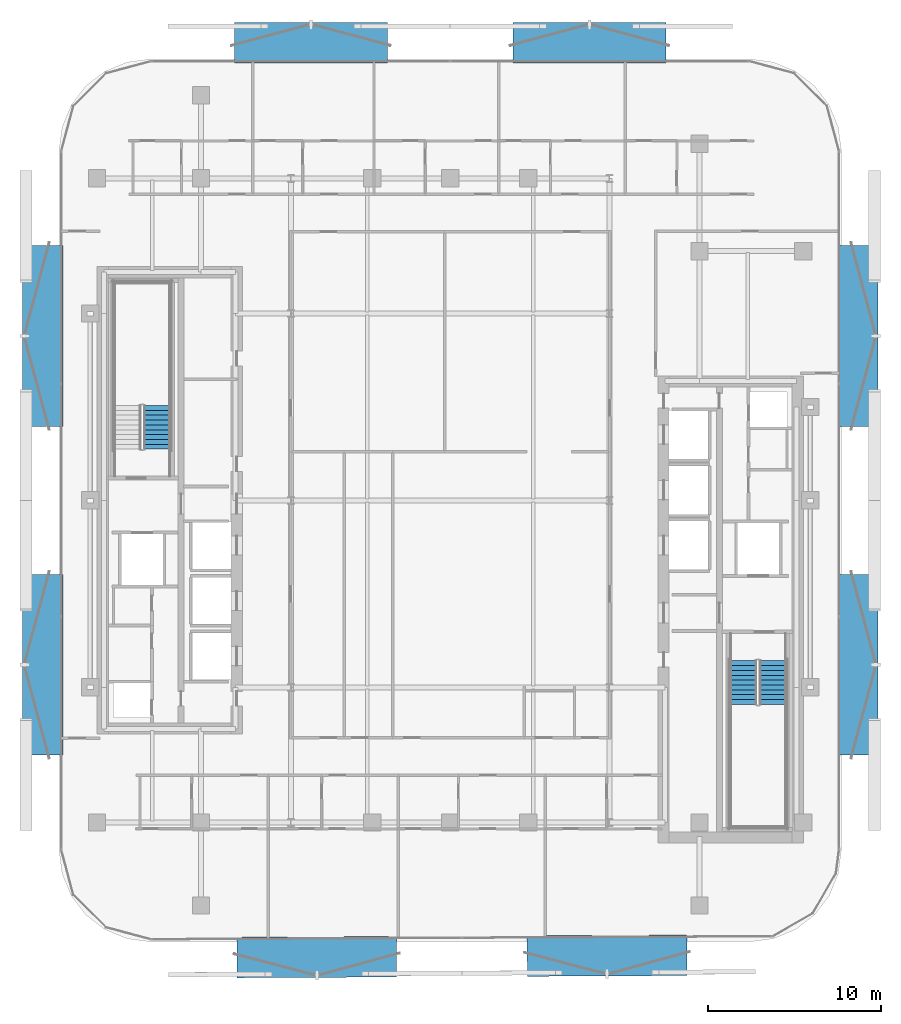
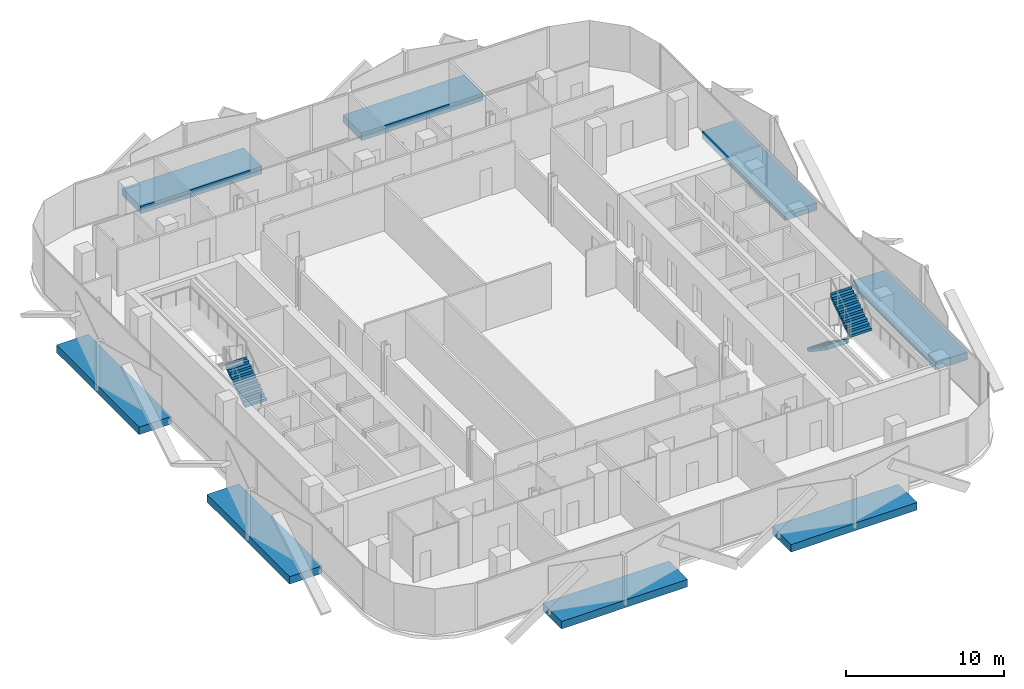
# One storey, part 8 of 17: 8 discrete accessories, 3 stair flights, 2 elements without a shape of their own.
"""IFC4 building model written with IfcOpenShell, lengths in metres."""

from ifc_helpers import new_model, si_unit, direction, frame, origin, origin_2d, place, context, subcontext, project, spatial, polyline, rectangle, outline, extrude, material, layer, layer_set, type_object, element, aggregate, save


model = new_model("IFC4")

# Units and contexts
model_context = context("Model", 3, precision=1e-05, world=origin(), true_north=direction((0.0, 1.0)))
body_context = subcontext(model_context, "Body", "Model", "MODEL_VIEW")
ifc_project = project(units=[si_unit("LENGTHUNIT", "METRE"), si_unit("AREAUNIT", "SQUARE_METRE"), si_unit("VOLUMEUNIT", "CUBIC_METRE"), si_unit("PLANEANGLEUNIT", "RADIAN"), si_unit("MASSUNIT", "GRAM", prefix="KILO")], contexts=[model_context])

# Site, building, storey
site_placement = place(None, origin())
site = spatial("IfcSite", under=ifc_project, at=site_placement, CompositionType="ELEMENT")
building_placement = place(site_placement, origin())
building = spatial("IfcBuilding", under=site, at=building_placement, Name="Khairoan Windgate Tower", CompositionType="ELEMENT")
storey_placement = place(building_placement, frame((0.0, 0.0, 195.39990234375)))
storey = spatial("IfcBuildingStorey", under=building, at=storey_placement, Name="L45", CompositionType="ELEMENT", Elevation=195.39990234375)

# Stair, stair flights
ifc_material_1 = material(Name="Concrete C40/50", Category="concrete")
stair_type = type_object("IfcStairType", Name="Tower Core Dog-Leg Stair ST-T1 1560mm", PredefinedType="HALF_TURN_STAIR", material=ifc_material_1)
stair_1_placement = place(storey_placement, origin())
stair_1 = element("IfcStair", 1, at=stair_1_placement, inside=storey, type_object=stair_type, Name="L45 Stair ST1", PredefinedType="HALF_TURN_STAIR")
ifc_material_2 = material(Name="Concrete C40/50", Category="concrete")
ifc_layer = layer(ifc_material_2, 0.14990234375, Name="Concrete C40/50")
ifc_layer_set = layer_set([ifc_layer], Name="Concrete C40/50")
stair_flight_type = type_object("IfcStairFlightType", Name="Tower Core Stair Flight STF-1560", PredefinedType="STRAIGHT", material=ifc_layer_set)
stair_flight_1_placement = place(storey_placement, frame((16.929931640625, -9.260009765625, 0.0), z_axis=(0.0, 0.0, 1.0), x_axis=(0.0, -1.0, 0.0)))
stair_flight_1 = element("IfcStairFlight", 2, at=stair_flight_1_placement, type_object=stair_flight_type, Name="ST1 flight 1", NumberOfRisers=10, NumberOfTreads=9, PredefinedType="STRAIGHT", RiserHeight=0.19, TreadLength=0.28, context=body_context, shape_type="SweptSolid", body=[
    extrude(outline(polyline([(-0.00390625, 0.0), (-0.00390625, 0.18994140625), (0.0, 0.18994140625), (0.280029296875, 0.18994140625), (0.280029296875, 0.3798828125), (0.56005859375, 0.3798828125), (0.56005859375, 0.570068359375), (0.840087890625, 0.570068359375), (0.840087890625, 0.760009765625), (1.1201171875, 0.760009765625), (1.1201171875, 0.949951171875), (1.39990234375, 0.949951171875), (1.39990234375, 1.139892578125), (1.679931640625, 1.139892578125), (1.679931640625, 1.330078125), (1.9599609375, 1.330078125), (1.9599609375, 1.52001953125), (2.239990234375, 1.52001953125), (2.239990234375, 1.7099609375), (2.52001953125, 1.7099609375), (2.52001953125, 1.89990234375), (2.52392578125, 1.89990234375), (2.52392578125, 1.52880859375), (0.266845703125, 0.0), (-0.00390625, 0.0)])), frame((0.0, 0.780029296875, 0.0), z_axis=(0.0, -1.0, 0.0), x_axis=(1.0, 0.0, 0.0)), (0.0, 0.0, 1.0), 1.56005859375),
])
stair_flight_2_placement = place(storey_placement, frame((18.639892578125, -11.780029296875, 1.900146484375), z_axis=(0.0, 0.0, 1.0), x_axis=(0.0, 1.0, 0.0)))
stair_flight_2 = element("IfcStairFlight", 3, at=stair_flight_2_placement, type_object=stair_flight_type, Name="ST1 flight 2", NumberOfRisers=10, NumberOfTreads=9, PredefinedType="STRAIGHT", RiserHeight=0.19, TreadLength=0.28, context=body_context, shape_type="SweptSolid", body=[
    extrude(outline(polyline([(-0.00390625, 0.0), (-0.00390625, 0.18994140625), (0.0, 0.18994140625), (0.280029296875, 0.18994140625), (0.280029296875, 0.3798828125), (0.56005859375, 0.3798828125), (0.56005859375, 0.570068359375), (0.840087890625, 0.570068359375), (0.840087890625, 0.760009765625), (1.1201171875, 0.760009765625), (1.1201171875, 0.949951171875), (1.39990234375, 0.949951171875), (1.39990234375, 1.139892578125), (1.679931640625, 1.139892578125), (1.679931640625, 1.330078125), (1.9599609375, 1.330078125), (1.9599609375, 1.52001953125), (2.239990234375, 1.52001953125), (2.239990234375, 1.7099609375), (2.52001953125, 1.7099609375), (2.52001953125, 1.89990234375), (2.52392578125, 1.89990234375), (2.52392578125, 1.52880859375), (0.266845703125, 0.0), (-0.00390625, 0.0)])), frame((0.0, 0.780029296875, 0.0), z_axis=(0.0, -1.0, 0.0), x_axis=(1.0, 0.0, 0.0)), (0.0, 0.0, 1.0), 1.56005859375),
])
aggregate(stair_1, [stair_flight_1, stair_flight_2])

# Stair, stair flight
stair_2_placement = place(storey_placement, origin())
stair_2 = element("IfcStair", 4, at=stair_2_placement, inside=storey, type_object=stair_type, Name="L45 Stair ST2", PredefinedType="HALF_TURN_STAIR")
stair_flight_3_placement = place(storey_placement, frame((-16.929931640625, 2.9599609375, 0.0), z_axis=(0.0, 0.0, 1.0), x_axis=(0.0, 1.0, 0.0)))
stair_flight_3 = element("IfcStairFlight", 5, at=stair_flight_3_placement, type_object=stair_flight_type, Name="ST2 flight 1", NumberOfRisers=10, NumberOfTreads=9, PredefinedType="STRAIGHT", RiserHeight=0.19, TreadLength=0.28, context=body_context, shape_type="SweptSolid", body=[
    extrude(outline(polyline([(-0.00390625, 0.0), (-0.00390625, 0.18994140625), (0.0, 0.18994140625), (0.280029296875, 0.18994140625), (0.280029296875, 0.3798828125), (0.56005859375, 0.3798828125), (0.56005859375, 0.570068359375), (0.840087890625, 0.570068359375), (0.840087890625, 0.760009765625), (1.1201171875, 0.760009765625), (1.1201171875, 0.949951171875), (1.39990234375, 0.949951171875), (1.39990234375, 1.139892578125), (1.679931640625, 1.139892578125), (1.679931640625, 1.330078125), (1.9599609375, 1.330078125), (1.9599609375, 1.52001953125), (2.239990234375, 1.52001953125), (2.239990234375, 1.7099609375), (2.52001953125, 1.7099609375), (2.52001953125, 1.89990234375), (2.52392578125, 1.89990234375), (2.52392578125, 1.52880859375), (0.266845703125, 0.0), (-0.00390625, 0.0)])), frame((0.0, 0.780029296875, 0.0), z_axis=(0.0, -1.0, 0.0), x_axis=(1.0, 0.0, 0.0)), (0.0, 0.0, 1.0), 1.56005859375),
])
aggregate(stair_2, [stair_flight_3])

# Discrete accessories
ifc_material_3 = material(Name="Steel S355", Category="steel")
discrete_accessory_type = type_object("IfcDiscreteAccessoryType", Name="Solar Screen Outrigger Slab Bracket SSB-1", PredefinedType="BRACKET", material=ifc_material_3)
for number, where, z_axis, x_axis, name in (
    (6, (9.05908203125, -26.30029296875, -0.419921875), (0.0, 0.0, 1.0), (-0.999988059021, -0.004886902454, 0.0), "L45 Solar Screen Outrigger Bracket 297"),
    (7, (-7.7041015625, -26.3828125, -0.419921875), (0.0, 0.0, 1.0), (-0.999988059021, -0.004886902454, 0.0), "L45 Solar Screen Outrigger Bracket 298"),
):
    element("IfcDiscreteAccessory", number, at=place(storey_placement, frame(where, z_axis=z_axis, x_axis=x_axis)), inside=storey, type_object=discrete_accessory_type, Name=name, PredefinedType="BRACKET", context=body_context, shape_type="SweptSolid", body=[
        extrude(rectangle(XDim=9.219970703125, YDim=2.340087890625, at=origin_2d()), origin(), (0.0, 0.0, 1.0), 0.580078125),
    ])
for number, where, z_axis, x_axis, name in (
    (8, (-23.530029296875, -9.495361328125, -0.419921875), (0.0, 0.0, 1.0), (0.0, 1.0, 0.0), "L45 Solar Screen Outrigger Bracket 299"),
    (9, (-23.530029296875, 9.495361328125, -0.419921875), (0.0, 0.0, 1.0), (0.0, 1.0, 0.0), "L45 Solar Screen Outrigger Bracket 300"),
):
    element("IfcDiscreteAccessory", number, at=place(storey_placement, frame(where, z_axis=z_axis, x_axis=x_axis)), inside=storey, type_object=discrete_accessory_type, Name=name, PredefinedType="BRACKET", context=body_context, shape_type="SweptSolid", body=[
        extrude(rectangle(XDim=10.445068359375, YDim=2.340087890625, at=origin_2d()), origin(), (0.0, 0.0, 1.0), 0.580078125),
    ])
for number, where, z_axis, x_axis, name in (
    (10, (-8.04541015625, 26.429931640625, -0.419921875), (0.0, 0.0, 1.0), (1.0, 0.0, 0.0), "L45 Solar Screen Outrigger Bracket 301"),
    (11, (8.04541015625, 26.429931640625, -0.419921875), (0.0, 0.0, 1.0), (1.0, 0.0, 0.0), "L45 Solar Screen Outrigger Bracket 302"),
):
    element("IfcDiscreteAccessory", number, at=place(storey_placement, frame(where, z_axis=z_axis, x_axis=x_axis)), inside=storey, type_object=discrete_accessory_type, Name=name, PredefinedType="BRACKET", context=body_context, shape_type="SweptSolid", body=[
        extrude(rectangle(XDim=8.85009765625, YDim=2.340087890625, at=origin_2d()), origin(), (0.0, 0.0, 1.0), 0.580078125),
    ])
for number, where, z_axis, x_axis, name in (
    (12, (23.530029296875, 9.495361328125, -0.419921875), (0.0, 0.0, 1.0), (0.0, -1.0, 0.0), "L45 Solar Screen Outrigger Bracket 303"),
    (13, (23.530029296875, -9.495361328125, -0.419921875), (0.0, 0.0, 1.0), (0.0, -1.0, 0.0), "L45 Solar Screen Outrigger Bracket 304"),
):
    element("IfcDiscreteAccessory", number, at=place(storey_placement, frame(where, z_axis=z_axis, x_axis=x_axis)), inside=storey, type_object=discrete_accessory_type, Name=name, PredefinedType="BRACKET", context=body_context, shape_type="SweptSolid", body=[
        extrude(rectangle(XDim=10.445068359375, YDim=2.340087890625, at=origin_2d()), origin(), (0.0, 0.0, 1.0), 0.580078125),
    ])

save(model, "model.ifc")
